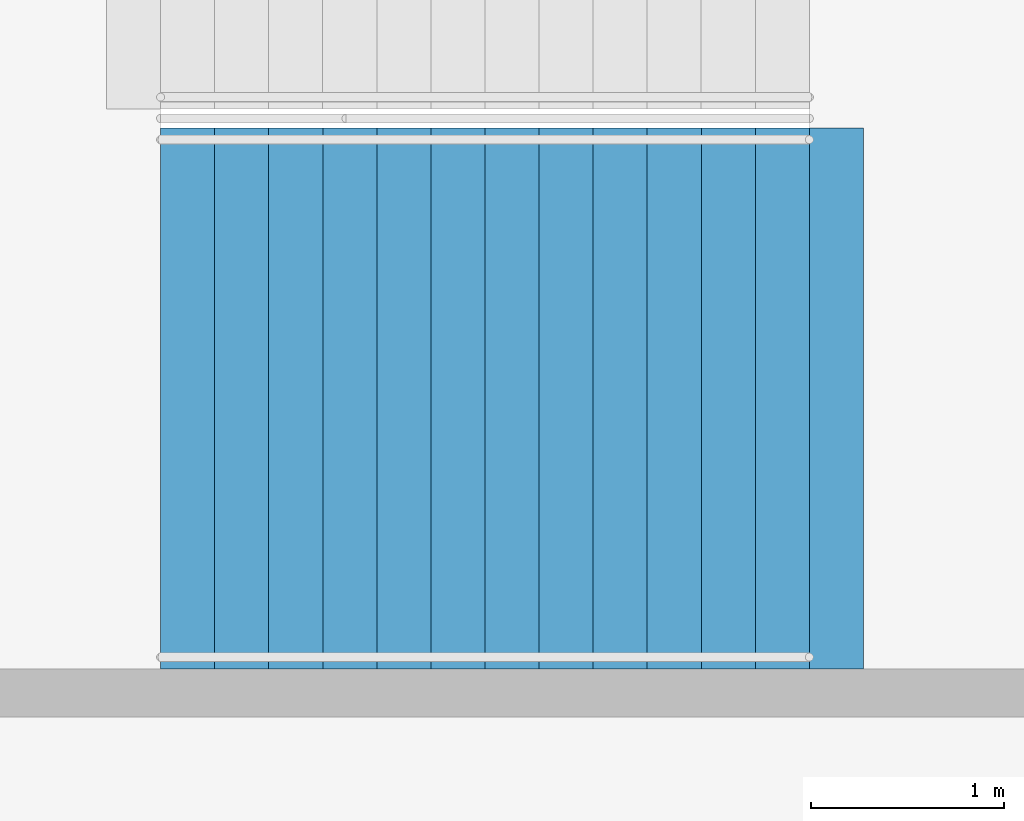
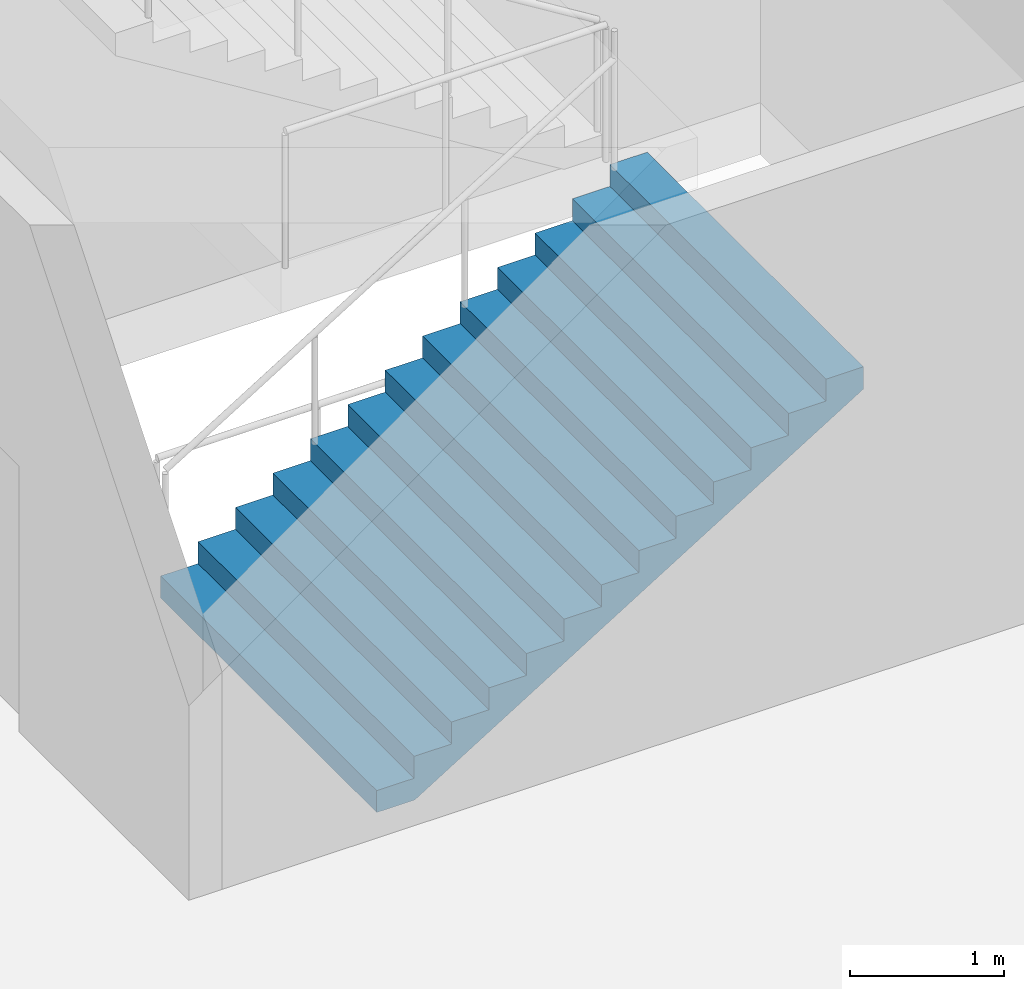
# One storey, part 171 of 199: 1 stair flight, 1 element without a shape of its own.
"""IFC4 building model written with IfcOpenShell, lengths in metres."""

from ifc_helpers import new_model, si_unit, direction, frame, origin, place, context, subcontext, project, spatial, faceted_brep, material, type_object, element, aggregate, save


model = new_model("IFC4")

# Units and contexts
model_context = context("Model", 3, precision=1e-05, world=origin(), true_north=direction((0.0, 1.0)))
body_context = subcontext(model_context, "Body", "Model", "MODEL_VIEW")
ifc_project = project(units=[si_unit("LENGTHUNIT", "METRE"), si_unit("AREAUNIT", "SQUARE_METRE"), si_unit("VOLUMEUNIT", "CUBIC_METRE"), si_unit("PLANEANGLEUNIT", "RADIAN"), si_unit("MASSUNIT", "GRAM", prefix="KILO")], contexts=[model_context])

# Site, building, storey
site_placement = place(None, origin())
site = spatial("IfcSite", under=ifc_project, at=site_placement, CompositionType="ELEMENT")
building_placement = place(site_placement, origin())
building = spatial("IfcBuilding", under=site, at=building_placement, Name="Ogive Plaza Stadium", CompositionType="ELEMENT")
storey_placement = place(building_placement, frame((0.0, 0.0, 9.0)))
storey = spatial("IfcBuildingStorey", under=building, at=storey_placement, Name="L02", CompositionType="ELEMENT", Elevation=9.0)

# Stair, stair flight
ifc_material_1 = material(Name="Concrete C40/50", Category="concrete")
stair_type = type_object("IfcStairType", Name="Exit stair", PredefinedType="STRAIGHT_RUN_STAIR", material=ifc_material_1)
stair_placement = place(storey_placement, origin())
stair = element("IfcStair", 1, at=stair_placement, inside=storey, type_object=stair_type, Name="Exit stair ST02A L02 to L03", PredefinedType="STRAIGHT_RUN_STAIR")
ifc_material_2 = material(Name="Concrete C40/50", Category="concrete")
stair_flight_type = type_object("IfcStairFlightType", Name="Exit stair flight", PredefinedType="STRAIGHT", material=ifc_material_2)
stair_flight_placement = place(storey_placement, frame((76.35009765625, 33.074951171875, 0.0), z_axis=(0.0, 0.0, 1.0), x_axis=(1.0, 0.0, 0.0)))
stair_flight = element("IfcStairFlight", 2, at=stair_flight_placement, type_object=stair_flight_type, Name="ST02A flight 1", NumberOfRisers=13, NumberOfTreads=12, PredefinedType="STRAIGHT", RiserHeight=0.173076923, TreadLength=0.28, context=body_context, shape_type="Brep", body=[
    faceted_brep([(0.28515625, -1.39990234375, 0.0), (3.639892578125, -1.39990234375, 2.07373046875), (3.639892578125, -1.39990234375, 2.25), (3.360107421875, -1.39990234375, 2.25), (3.360107421875, -1.39990234375, 2.076904296875), (3.080078125, -1.39990234375, 2.076904296875), (3.080078125, -1.39990234375, 1.90380859375), (2.800048828125, -1.39990234375, 1.90380859375), (2.800048828125, -1.39990234375, 1.730712890625), (2.52001953125, -1.39990234375, 1.730712890625), (2.52001953125, -1.39990234375, 1.5576171875), (2.239990234375, -1.39990234375, 1.5576171875), (2.239990234375, -1.39990234375, 1.384521484375), (1.9599609375, -1.39990234375, 1.384521484375), (1.9599609375, -1.39990234375, 1.21142578125), (1.679931640625, -1.39990234375, 1.21142578125), (1.679931640625, -1.39990234375, 1.03857421875), (1.39990234375, -1.39990234375, 1.03857421875), (1.39990234375, -1.39990234375, 0.865478515625), (1.1201171875, -1.39990234375, 0.865478515625), (1.1201171875, -1.39990234375, 0.6923828125), (0.840087890625, -1.39990234375, 0.6923828125), (0.840087890625, -1.39990234375, 0.519287109375), (0.56005859375, -1.39990234375, 0.519287109375), (0.56005859375, -1.39990234375, 0.34619140625), (0.280029296875, -1.39990234375, 0.34619140625), (0.280029296875, -1.39990234375, 0.173095703125), (0.0, -1.39990234375, 0.173095703125), (0.0, -1.39990234375, 0.0), (0.0, 1.39990234375, 0.0), (0.0, 1.39990234375, 0.173095703125), (0.280029296875, 1.39990234375, 0.173095703125), (0.280029296875, 1.39990234375, 0.34619140625), (0.56005859375, 1.39990234375, 0.34619140625), (0.56005859375, 1.39990234375, 0.519287109375), (0.840087890625, 1.39990234375, 0.519287109375), (0.840087890625, 1.39990234375, 0.6923828125), (1.1201171875, 1.39990234375, 0.6923828125), (1.1201171875, 1.39990234375, 0.865478515625), (1.39990234375, 1.39990234375, 0.865478515625), (1.39990234375, 1.39990234375, 1.03857421875), (1.679931640625, 1.39990234375, 1.03857421875), (1.679931640625, 1.39990234375, 1.21142578125), (1.9599609375, 1.39990234375, 1.21142578125), (1.9599609375, 1.39990234375, 1.384521484375), (2.239990234375, 1.39990234375, 1.384521484375), (2.239990234375, 1.39990234375, 1.5576171875), (2.52001953125, 1.39990234375, 1.5576171875), (2.52001953125, 1.39990234375, 1.730712890625), (2.800048828125, 1.39990234375, 1.730712890625), (2.800048828125, 1.39990234375, 1.90380859375), (3.080078125, 1.39990234375, 1.90380859375), (3.080078125, 1.39990234375, 2.076904296875), (3.360107421875, 1.39990234375, 2.076904296875), (3.360107421875, 1.39990234375, 2.25), (3.639892578125, 1.39990234375, 2.25), (3.639892578125, 1.39990234375, 2.07373046875), (0.28515625, 1.39990234375, 0.0), (0.28515625, -1.0888671875, 0.0), (3.639892578125, -1.0888671875, 2.07373046875), (0.28515625, -0.77783203125, 0.0), (3.639892578125, -0.77783203125, 2.07373046875), (0.28515625, -0.466796875, 0.0), (3.639892578125, -0.466796875, 2.07373046875), (0.28515625, -0.155517578125, 0.0), (3.639892578125, -0.155517578125, 2.07373046875), (0.28515625, 0.155517578125, 0.0), (3.639892578125, 0.155517578125, 2.07373046875), (0.28515625, 0.466796875, 0.0), (3.639892578125, 0.466796875, 2.07373046875), (0.28515625, 0.77783203125, 0.0), (3.639892578125, 0.77783203125, 2.07373046875), (0.28515625, 1.0888671875, 0.0), (3.639892578125, 1.0888671875, 2.07373046875), (3.639892578125, -1.0888671875, 2.25), (3.639892578125, -0.77783203125, 2.25), (3.639892578125, -0.466796875, 2.25), (3.639892578125, -0.155517578125, 2.25), (3.639892578125, 0.155517578125, 2.25), (3.639892578125, 0.466796875, 2.25), (3.639892578125, 0.77783203125, 2.25), (3.639892578125, 1.0888671875, 2.25), (3.360107421875, -1.0888671875, 2.25), (3.360107421875, -0.77783203125, 2.25), (3.360107421875, -0.466796875, 2.25), (3.360107421875, -0.155517578125, 2.25), (3.360107421875, 0.155517578125, 2.25), (3.360107421875, 0.466796875, 2.25), (3.360107421875, 0.77783203125, 2.25), (3.360107421875, 1.0888671875, 2.25), (3.360107421875, -1.0888671875, 2.076904296875), (3.360107421875, -0.77783203125, 2.076904296875), (3.360107421875, -0.466796875, 2.076904296875), (3.360107421875, -0.155517578125, 2.076904296875), (3.360107421875, 0.155517578125, 2.076904296875), (3.360107421875, 0.466796875, 2.076904296875), (3.360107421875, 0.77783203125, 2.076904296875), (3.360107421875, 1.0888671875, 2.076904296875), (3.080078125, -1.0888671875, 2.076904296875), (3.080078125, -0.77783203125, 2.076904296875), (3.080078125, -0.466796875, 2.076904296875), (3.080078125, -0.155517578125, 2.076904296875), (3.080078125, 0.155517578125, 2.076904296875), (3.080078125, 0.466796875, 2.076904296875), (3.080078125, 0.77783203125, 2.076904296875), (3.080078125, 1.0888671875, 2.076904296875), (3.080078125, -1.0888671875, 1.90380859375), (3.080078125, -0.77783203125, 1.90380859375), (3.080078125, -0.466796875, 1.90380859375), (3.080078125, -0.155517578125, 1.90380859375), (3.080078125, 0.155517578125, 1.90380859375), (3.080078125, 0.466796875, 1.90380859375), (3.080078125, 0.77783203125, 1.90380859375), (3.080078125, 1.0888671875, 1.90380859375), (2.800048828125, -1.0888671875, 1.90380859375), (2.800048828125, -0.77783203125, 1.90380859375), (2.800048828125, -0.466796875, 1.90380859375), (2.800048828125, -0.155517578125, 1.90380859375), (2.800048828125, 0.155517578125, 1.90380859375), (2.800048828125, 0.466796875, 1.90380859375), (2.800048828125, 0.77783203125, 1.90380859375), (2.800048828125, 1.0888671875, 1.90380859375), (2.800048828125, -1.0888671875, 1.730712890625), (2.800048828125, -0.77783203125, 1.730712890625), (2.800048828125, -0.466796875, 1.730712890625), (2.800048828125, -0.155517578125, 1.730712890625), (2.800048828125, 0.155517578125, 1.730712890625), (2.800048828125, 0.466796875, 1.730712890625), (2.800048828125, 0.77783203125, 1.730712890625), (2.800048828125, 1.0888671875, 1.730712890625), (2.52001953125, -1.0888671875, 1.730712890625), (2.52001953125, -0.77783203125, 1.730712890625), (2.52001953125, -0.466796875, 1.730712890625), (2.52001953125, -0.155517578125, 1.730712890625), (2.52001953125, 0.155517578125, 1.730712890625), (2.52001953125, 0.466796875, 1.730712890625), (2.52001953125, 0.77783203125, 1.730712890625), (2.52001953125, 1.0888671875, 1.730712890625), (2.52001953125, -1.0888671875, 1.5576171875), (2.52001953125, -0.77783203125, 1.5576171875), (2.52001953125, -0.466796875, 1.5576171875), (2.52001953125, -0.155517578125, 1.5576171875), (2.52001953125, 0.155517578125, 1.5576171875), (2.52001953125, 0.466796875, 1.5576171875), (2.52001953125, 0.77783203125, 1.5576171875), (2.52001953125, 1.0888671875, 1.5576171875), (2.239990234375, -1.0888671875, 1.5576171875), (2.239990234375, -0.77783203125, 1.5576171875), (2.239990234375, -0.466796875, 1.5576171875), (2.239990234375, -0.155517578125, 1.5576171875), (2.239990234375, 0.155517578125, 1.5576171875), (2.239990234375, 0.466796875, 1.5576171875), (2.239990234375, 0.77783203125, 1.5576171875), (2.239990234375, 1.0888671875, 1.5576171875), (2.239990234375, -1.0888671875, 1.384521484375), (2.239990234375, -0.77783203125, 1.384521484375), (2.239990234375, -0.466796875, 1.384521484375), (2.239990234375, -0.155517578125, 1.384521484375), (2.239990234375, 0.155517578125, 1.384521484375), (2.239990234375, 0.466796875, 1.384521484375), (2.239990234375, 0.77783203125, 1.384521484375), (2.239990234375, 1.0888671875, 1.384521484375), (1.9599609375, -1.0888671875, 1.384521484375), (1.9599609375, -0.77783203125, 1.384521484375), (1.9599609375, -0.466796875, 1.384521484375), (1.9599609375, -0.155517578125, 1.384521484375), (1.9599609375, 0.155517578125, 1.384521484375), (1.9599609375, 0.466796875, 1.384521484375), (1.9599609375, 0.77783203125, 1.384521484375), (1.9599609375, 1.0888671875, 1.384521484375), (1.9599609375, -1.0888671875, 1.21142578125), (1.9599609375, -0.77783203125, 1.21142578125), (1.9599609375, -0.466796875, 1.21142578125), (1.9599609375, -0.155517578125, 1.21142578125), (1.9599609375, 0.155517578125, 1.21142578125), (1.9599609375, 0.466796875, 1.21142578125), (1.9599609375, 0.77783203125, 1.21142578125), (1.9599609375, 1.0888671875, 1.21142578125), (1.679931640625, -1.0888671875, 1.21142578125), (1.679931640625, -0.77783203125, 1.21142578125), (1.679931640625, -0.466796875, 1.21142578125), (1.679931640625, -0.155517578125, 1.21142578125), (1.679931640625, 0.155517578125, 1.21142578125), (1.679931640625, 0.466796875, 1.21142578125), (1.679931640625, 0.77783203125, 1.21142578125), (1.679931640625, 1.0888671875, 1.21142578125), (1.679931640625, -1.0888671875, 1.03857421875), (1.679931640625, -0.77783203125, 1.03857421875), (1.679931640625, -0.466796875, 1.03857421875), (1.679931640625, -0.155517578125, 1.03857421875), (1.679931640625, 0.155517578125, 1.03857421875), (1.679931640625, 0.466796875, 1.03857421875), (1.679931640625, 0.77783203125, 1.03857421875), (1.679931640625, 1.0888671875, 1.03857421875), (1.39990234375, -1.0888671875, 1.03857421875), (1.39990234375, -0.77783203125, 1.03857421875), (1.39990234375, -0.466796875, 1.03857421875), (1.39990234375, -0.155517578125, 1.03857421875), (1.39990234375, 0.155517578125, 1.03857421875), (1.39990234375, 0.466796875, 1.03857421875), (1.39990234375, 0.77783203125, 1.03857421875), (1.39990234375, 1.0888671875, 1.03857421875), (1.39990234375, -1.0888671875, 0.865478515625), (1.39990234375, -0.77783203125, 0.865478515625), (1.39990234375, -0.466796875, 0.865478515625), (1.39990234375, -0.155517578125, 0.865478515625), (1.39990234375, 0.155517578125, 0.865478515625), (1.39990234375, 0.466796875, 0.865478515625), (1.39990234375, 0.77783203125, 0.865478515625), (1.39990234375, 1.0888671875, 0.865478515625), (1.1201171875, -1.0888671875, 0.865478515625), (1.1201171875, -0.77783203125, 0.865478515625), (1.1201171875, -0.466796875, 0.865478515625), (1.1201171875, -0.155517578125, 0.865478515625), (1.1201171875, 0.155517578125, 0.865478515625), (1.1201171875, 0.466796875, 0.865478515625), (1.1201171875, 0.77783203125, 0.865478515625), (1.1201171875, 1.0888671875, 0.865478515625), (1.1201171875, -1.0888671875, 0.6923828125), (1.1201171875, -0.77783203125, 0.6923828125), (1.1201171875, -0.466796875, 0.6923828125), (1.1201171875, -0.155517578125, 0.6923828125), (1.1201171875, 0.155517578125, 0.6923828125), (1.1201171875, 0.466796875, 0.6923828125), (1.1201171875, 0.77783203125, 0.6923828125), (1.1201171875, 1.0888671875, 0.6923828125), (0.840087890625, -1.0888671875, 0.6923828125), (0.840087890625, -0.77783203125, 0.6923828125), (0.840087890625, -0.466796875, 0.6923828125), (0.840087890625, -0.155517578125, 0.6923828125), (0.840087890625, 0.155517578125, 0.6923828125), (0.840087890625, 0.466796875, 0.6923828125), (0.840087890625, 0.77783203125, 0.6923828125), (0.840087890625, 1.0888671875, 0.6923828125), (0.840087890625, -1.0888671875, 0.519287109375), (0.840087890625, -0.77783203125, 0.519287109375), (0.840087890625, -0.466796875, 0.519287109375), (0.840087890625, -0.155517578125, 0.519287109375), (0.840087890625, 0.155517578125, 0.519287109375), (0.840087890625, 0.466796875, 0.519287109375), (0.840087890625, 0.77783203125, 0.519287109375), (0.840087890625, 1.0888671875, 0.519287109375), (0.56005859375, -1.0888671875, 0.519287109375), (0.56005859375, -0.77783203125, 0.519287109375), (0.56005859375, -0.466796875, 0.519287109375), (0.56005859375, -0.155517578125, 0.519287109375), (0.56005859375, 0.155517578125, 0.519287109375), (0.56005859375, 0.466796875, 0.519287109375), (0.56005859375, 0.77783203125, 0.519287109375), (0.56005859375, 1.0888671875, 0.519287109375), (0.56005859375, -1.0888671875, 0.34619140625), (0.56005859375, -0.77783203125, 0.34619140625), (0.56005859375, -0.466796875, 0.34619140625), (0.56005859375, -0.155517578125, 0.34619140625), (0.56005859375, 0.155517578125, 0.34619140625), (0.56005859375, 0.466796875, 0.34619140625), (0.56005859375, 0.77783203125, 0.34619140625), (0.56005859375, 1.0888671875, 0.34619140625), (0.280029296875, -1.0888671875, 0.34619140625), (0.280029296875, -0.77783203125, 0.34619140625), (0.280029296875, -0.466796875, 0.34619140625), (0.280029296875, -0.155517578125, 0.34619140625), (0.280029296875, 0.155517578125, 0.34619140625), (0.280029296875, 0.466796875, 0.34619140625), (0.280029296875, 0.77783203125, 0.34619140625), (0.280029296875, 1.0888671875, 0.34619140625), (0.280029296875, -1.0888671875, 0.173095703125), (0.280029296875, -0.77783203125, 0.173095703125), (0.280029296875, -0.466796875, 0.173095703125), (0.280029296875, -0.155517578125, 0.173095703125), (0.280029296875, 0.155517578125, 0.173095703125), (0.280029296875, 0.466796875, 0.173095703125), (0.280029296875, 0.77783203125, 0.173095703125), (0.280029296875, 1.0888671875, 0.173095703125), (0.0, -1.0888671875, 0.173095703125), (0.0, -0.77783203125, 0.173095703125), (0.0, -0.466796875, 0.173095703125), (0.0, -0.155517578125, 0.173095703125), (0.0, 0.155517578125, 0.173095703125), (0.0, 0.466796875, 0.173095703125), (0.0, 0.77783203125, 0.173095703125), (0.0, 1.0888671875, 0.173095703125), (0.0, -1.0888671875, 0.0), (0.0, -0.77783203125, 0.0), (0.0, -0.466796875, 0.0), (0.0, -0.155517578125, 0.0), (0.0, 0.155517578125, 0.0), (0.0, 0.466796875, 0.0), (0.0, 0.77783203125, 0.0), (0.0, 1.0888671875, 0.0)], [[[0, 1, 2, 3, 4, 5, 6, 7, 8, 9, 10, 11, 12, 13, 14, 15, 16, 17, 18, 19, 20, 21, 22, 23, 24, 25, 26, 27, 28]], [[29, 30, 31, 32, 33, 34, 35, 36, 37, 38, 39, 40, 41, 42, 43, 44, 45, 46, 47, 48, 49, 50, 51, 52, 53, 54, 55, 56, 57]], [[0, 58, 59, 1]], [[58, 60, 61, 59]], [[60, 62, 63, 61]], [[62, 64, 65, 63]], [[64, 66, 67, 65]], [[66, 68, 69, 67]], [[68, 70, 71, 69]], [[70, 72, 73, 71]], [[72, 57, 56, 73]], [[1, 59, 74, 2]], [[59, 61, 75, 74]], [[61, 63, 76, 75]], [[63, 65, 77, 76]], [[65, 67, 78, 77]], [[67, 69, 79, 78]], [[69, 71, 80, 79]], [[71, 73, 81, 80]], [[73, 56, 55, 81]], [[2, 74, 82, 3]], [[74, 75, 83, 82]], [[75, 76, 84, 83]], [[76, 77, 85, 84]], [[77, 78, 86, 85]], [[78, 79, 87, 86]], [[79, 80, 88, 87]], [[80, 81, 89, 88]], [[81, 55, 54, 89]], [[3, 82, 90, 4]], [[82, 83, 91, 90]], [[83, 84, 92, 91]], [[84, 85, 93, 92]], [[85, 86, 94, 93]], [[86, 87, 95, 94]], [[87, 88, 96, 95]], [[88, 89, 97, 96]], [[89, 54, 53, 97]], [[4, 90, 98, 5]], [[90, 91, 99, 98]], [[91, 92, 100, 99]], [[92, 93, 101, 100]], [[93, 94, 102, 101]], [[94, 95, 103, 102]], [[95, 96, 104, 103]], [[96, 97, 105, 104]], [[97, 53, 52, 105]], [[5, 98, 106, 6]], [[98, 99, 107, 106]], [[99, 100, 108, 107]], [[100, 101, 109, 108]], [[101, 102, 110, 109]], [[102, 103, 111, 110]], [[103, 104, 112, 111]], [[104, 105, 113, 112]], [[105, 52, 51, 113]], [[6, 106, 114, 7]], [[106, 107, 115, 114]], [[107, 108, 116, 115]], [[108, 109, 117, 116]], [[109, 110, 118, 117]], [[110, 111, 119, 118]], [[111, 112, 120, 119]], [[112, 113, 121, 120]], [[113, 51, 50, 121]], [[7, 114, 122, 8]], [[114, 115, 123, 122]], [[115, 116, 124, 123]], [[116, 117, 125, 124]], [[117, 118, 126, 125]], [[118, 119, 127, 126]], [[119, 120, 128, 127]], [[120, 121, 129, 128]], [[121, 50, 49, 129]], [[8, 122, 130, 9]], [[122, 123, 131, 130]], [[123, 124, 132, 131]], [[124, 125, 133, 132]], [[125, 126, 134, 133]], [[126, 127, 135, 134]], [[127, 128, 136, 135]], [[128, 129, 137, 136]], [[129, 49, 48, 137]], [[9, 130, 138, 10]], [[130, 131, 139, 138]], [[131, 132, 140, 139]], [[132, 133, 141, 140]], [[133, 134, 142, 141]], [[134, 135, 143, 142]], [[135, 136, 144, 143]], [[136, 137, 145, 144]], [[137, 48, 47, 145]], [[10, 138, 146, 11]], [[138, 139, 147, 146]], [[139, 140, 148, 147]], [[140, 141, 149, 148]], [[141, 142, 150, 149]], [[142, 143, 151, 150]], [[143, 144, 152, 151]], [[144, 145, 153, 152]], [[145, 47, 46, 153]], [[11, 146, 154, 12]], [[146, 147, 155, 154]], [[147, 148, 156, 155]], [[148, 149, 157, 156]], [[149, 150, 158, 157]], [[150, 151, 159, 158]], [[151, 152, 160, 159]], [[152, 153, 161, 160]], [[153, 46, 45, 161]], [[12, 154, 162, 13]], [[154, 155, 163, 162]], [[155, 156, 164, 163]], [[156, 157, 165, 164]], [[157, 158, 166, 165]], [[158, 159, 167, 166]], [[159, 160, 168, 167]], [[160, 161, 169, 168]], [[161, 45, 44, 169]], [[13, 162, 170, 14]], [[162, 163, 171, 170]], [[163, 164, 172, 171]], [[164, 165, 173, 172]], [[165, 166, 174, 173]], [[166, 167, 175, 174]], [[167, 168, 176, 175]], [[168, 169, 177, 176]], [[169, 44, 43, 177]], [[14, 170, 178, 15]], [[170, 171, 179, 178]], [[171, 172, 180, 179]], [[172, 173, 181, 180]], [[173, 174, 182, 181]], [[174, 175, 183, 182]], [[175, 176, 184, 183]], [[176, 177, 185, 184]], [[177, 43, 42, 185]], [[15, 178, 186, 16]], [[178, 179, 187, 186]], [[179, 180, 188, 187]], [[180, 181, 189, 188]], [[181, 182, 190, 189]], [[182, 183, 191, 190]], [[183, 184, 192, 191]], [[184, 185, 193, 192]], [[185, 42, 41, 193]], [[16, 186, 194, 17]], [[186, 187, 195, 194]], [[187, 188, 196, 195]], [[188, 189, 197, 196]], [[189, 190, 198, 197]], [[190, 191, 199, 198]], [[191, 192, 200, 199]], [[192, 193, 201, 200]], [[193, 41, 40, 201]], [[17, 194, 202, 18]], [[194, 195, 203, 202]], [[195, 196, 204, 203]], [[196, 197, 205, 204]], [[197, 198, 206, 205]], [[198, 199, 207, 206]], [[199, 200, 208, 207]], [[200, 201, 209, 208]], [[201, 40, 39, 209]], [[18, 202, 210, 19]], [[202, 203, 211, 210]], [[203, 204, 212, 211]], [[204, 205, 213, 212]], [[205, 206, 214, 213]], [[206, 207, 215, 214]], [[207, 208, 216, 215]], [[208, 209, 217, 216]], [[209, 39, 38, 217]], [[19, 210, 218, 20]], [[210, 211, 219, 218]], [[211, 212, 220, 219]], [[212, 213, 221, 220]], [[213, 214, 222, 221]], [[214, 215, 223, 222]], [[215, 216, 224, 223]], [[216, 217, 225, 224]], [[217, 38, 37, 225]], [[20, 218, 226, 21]], [[218, 219, 227, 226]], [[219, 220, 228, 227]], [[220, 221, 229, 228]], [[221, 222, 230, 229]], [[222, 223, 231, 230]], [[223, 224, 232, 231]], [[224, 225, 233, 232]], [[225, 37, 36, 233]], [[21, 226, 234, 22]], [[226, 227, 235, 234]], [[227, 228, 236, 235]], [[228, 229, 237, 236]], [[229, 230, 238, 237]], [[230, 231, 239, 238]], [[231, 232, 240, 239]], [[232, 233, 241, 240]], [[233, 36, 35, 241]], [[22, 234, 242, 23]], [[234, 235, 243, 242]], [[235, 236, 244, 243]], [[236, 237, 245, 244]], [[237, 238, 246, 245]], [[238, 239, 247, 246]], [[239, 240, 248, 247]], [[240, 241, 249, 248]], [[241, 35, 34, 249]], [[23, 242, 250, 24]], [[242, 243, 251, 250]], [[243, 244, 252, 251]], [[244, 245, 253, 252]], [[245, 246, 254, 253]], [[246, 247, 255, 254]], [[247, 248, 256, 255]], [[248, 249, 257, 256]], [[249, 34, 33, 257]], [[24, 250, 258, 25]], [[250, 251, 259, 258]], [[251, 252, 260, 259]], [[252, 253, 261, 260]], [[253, 254, 262, 261]], [[254, 255, 263, 262]], [[255, 256, 264, 263]], [[256, 257, 265, 264]], [[257, 33, 32, 265]], [[25, 258, 266, 26]], [[258, 259, 267, 266]], [[259, 260, 268, 267]], [[260, 261, 269, 268]], [[261, 262, 270, 269]], [[262, 263, 271, 270]], [[263, 264, 272, 271]], [[264, 265, 273, 272]], [[265, 32, 31, 273]], [[26, 266, 274, 27]], [[266, 267, 275, 274]], [[267, 268, 276, 275]], [[268, 269, 277, 276]], [[269, 270, 278, 277]], [[270, 271, 279, 278]], [[271, 272, 280, 279]], [[272, 273, 281, 280]], [[273, 31, 30, 281]], [[27, 274, 282, 28]], [[274, 275, 283, 282]], [[275, 276, 284, 283]], [[276, 277, 285, 284]], [[277, 278, 286, 285]], [[278, 279, 287, 286]], [[279, 280, 288, 287]], [[280, 281, 289, 288]], [[281, 30, 29, 289]], [[28, 282, 58, 0]], [[282, 283, 60, 58]], [[283, 284, 62, 60]], [[284, 285, 64, 62]], [[285, 286, 66, 64]], [[286, 287, 68, 66]], [[287, 288, 70, 68]], [[288, 289, 72, 70]], [[289, 29, 57, 72]]]),
])
aggregate(stair, [stair_flight])

save(model, "model.ifc")
